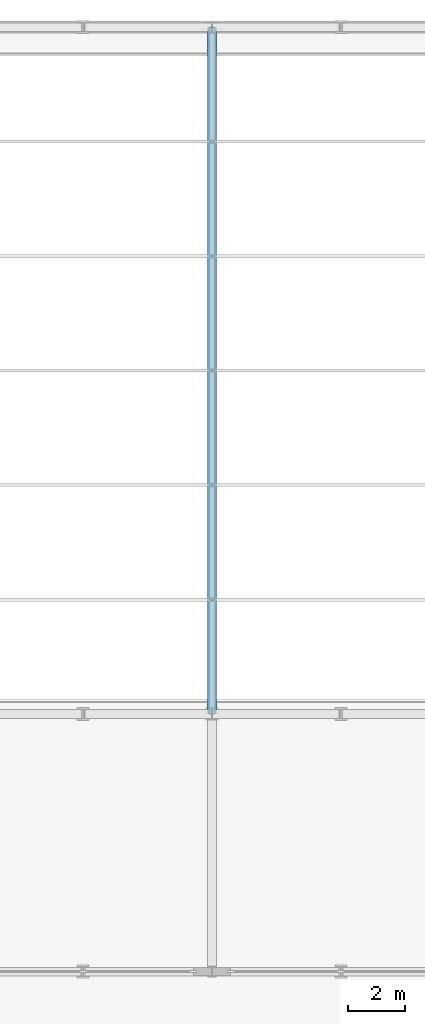
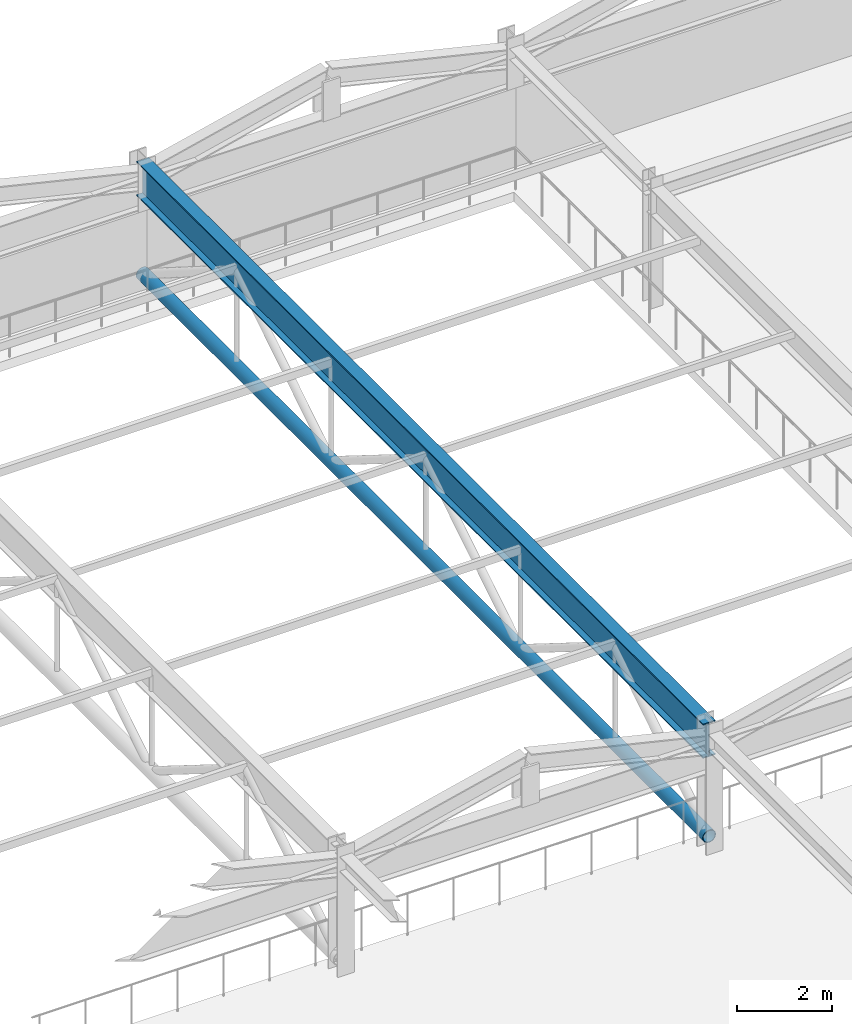
# One storey, part 39 of 91: 1 beam, 1 member.
"""IFC4 building model written with IfcOpenShell, lengths in metres."""

from ifc_helpers import new_model, si_unit, direction, frame, origin, origin_2d, place, context, subcontext, project, spatial, hollow_circle, i_section, extrude, material, material_profile, profile_set, type_object, element, save


model = new_model("IFC4")

# Units and contexts
model_context = context("Model", 3, precision=1e-05, world=origin(), true_north=direction((0.0, 1.0)))
body_context = subcontext(model_context, "Body", "Model", "MODEL_VIEW")
ifc_project = project(units=[si_unit("LENGTHUNIT", "METRE"), si_unit("AREAUNIT", "SQUARE_METRE"), si_unit("VOLUMEUNIT", "CUBIC_METRE"), si_unit("PLANEANGLEUNIT", "RADIAN"), si_unit("MASSUNIT", "GRAM", prefix="KILO")], contexts=[model_context])

# Site, building, storey
site_placement = place(None, origin())
site = spatial("IfcSite", under=ifc_project, at=site_placement, CompositionType="ELEMENT")
building_placement = place(site_placement, origin())
building = spatial("IfcBuilding", under=site, at=building_placement, Name="Palais des Congres Ocreval", CompositionType="ELEMENT")
storey_placement = place(building_placement, frame((0.0, 0.0, 8.159912109375)))
storey = spatial("IfcBuildingStorey", under=building, at=storey_placement, Name="L02", CompositionType="ELEMENT", Elevation=8.159912109375)

# Beam
ifc_material = material(Name="Steel S355", Category="steel")
ifc_material_profile_1 = material_profile(ifc_material, i_section(OverallWidth=0.300048828125, OverallDepth=0.889892578125, WebThickness=0.01611328125, FlangeThickness=0.030029296875, at=origin_2d()), Name="HEA 900")
ifc_profile_set_1 = profile_set([ifc_material_profile_1], Name="Steel S355")
beam_type = type_object("IfcBeamType", Name="Long-Span Girder HEA 900 Steel S355", PredefinedType="BEAM", material=ifc_profile_set_1)
beam_placement = place(storey_placement, frame((36.0, 90.02001953125, 2.7900390625), z_axis=(0.0, 1.0, 0.0), x_axis=(-1.0, 0.0, 0.0)))
element("IfcBeam", 1, at=beam_placement, inside=storey, type_object=beam_type, Name="ROOF TRUSS Top Collector Girder V1-36", PredefinedType="BEAM", context=body_context, shape_type="SweptSolid", body=[
    extrude(i_section(OverallWidth=0.300048828125, OverallDepth=0.889892578125, WebThickness=0.01611328125, FlangeThickness=0.030029296875, at=origin_2d()), origin(), (0.0, 0.0, 1.0), 23.9599609375),
])

# Member
ifc_material_profile_2 = material_profile(ifc_material, hollow_circle(Radius=0.161865234375, WallThickness=0.01611328125, at=origin_2d()), Name="CHS 323.9x16")
ifc_profile_set_2 = profile_set([ifc_material_profile_2], Name="Steel S355")
member_type = type_object("IfcMemberType", Name="ROOF TRUSS Chord CHS 323.9x16 Steel S355", PredefinedType="CHORD", material=ifc_profile_set_2)
member_placement = place(storey_placement, frame((36.0, 90.02001953125, 0.2900390625), z_axis=(0.0, 1.0, 0.0), x_axis=(-1.0, 0.0, 0.0)))
element("IfcMember", 2, at=member_placement, inside=storey, type_object=member_type, Name="ROOF TRUSS Bottom Chord V1-36", PredefinedType="CHORD", context=body_context, shape_type="SweptSolid", body=[
    extrude(hollow_circle(Radius=0.161865234375, WallThickness=0.01611328125, at=origin_2d()), origin(), (0.0, 0.0, 1.0), 23.9599609375),
])

save(model, "model.ifc")
